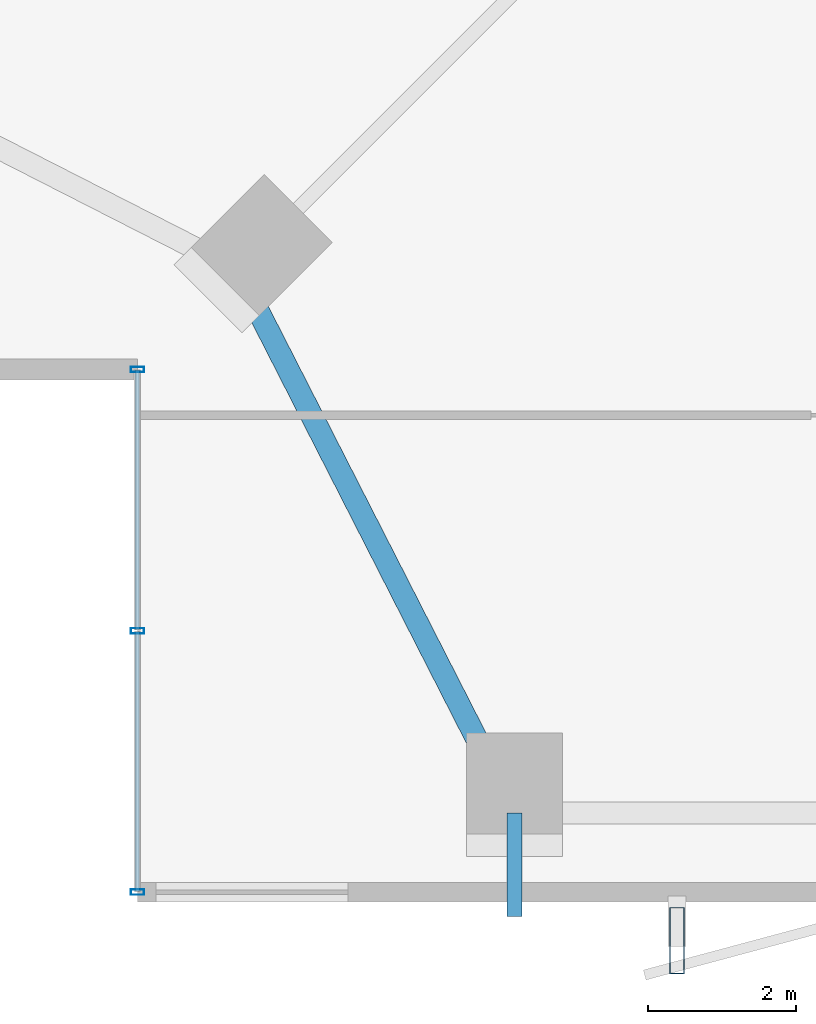
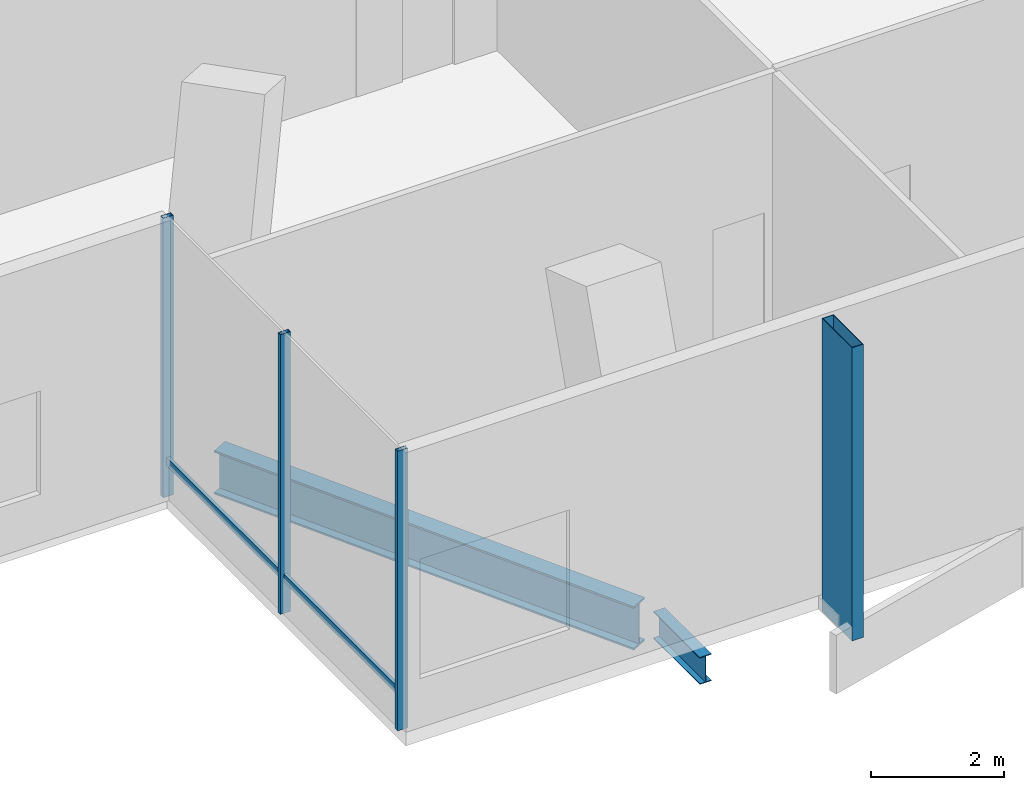
# One storey, part 2 of 28: 6 members, 2 beams, 1 element without a shape of its own.
"""IFC4 building model written with IfcOpenShell, lengths in metres."""

from ifc_helpers import new_model, si_unit, direction, frame, origin, origin_2d, place, context, subcontext, project, spatial, hollow_rectangle, i_section, extrude, material, layer, layer_set, material_profile, profile_set, type_object, element, aggregate, save


model = new_model("IFC4")

# Units and contexts
model_context = context("Model", 3, precision=1e-05, world=origin(), true_north=direction((0.0, 1.0)))
body_context = subcontext(model_context, "Body", "Model", "MODEL_VIEW")
ifc_project = project(units=[si_unit("LENGTHUNIT", "METRE"), si_unit("AREAUNIT", "SQUARE_METRE"), si_unit("VOLUMEUNIT", "CUBIC_METRE"), si_unit("PLANEANGLEUNIT", "RADIAN"), si_unit("MASSUNIT", "GRAM", prefix="KILO")], contexts=[model_context])

# Site, building, storey
site_placement = place(None, origin())
site = spatial("IfcSite", under=ifc_project, at=site_placement, CompositionType="ELEMENT")
building_placement = place(site_placement, origin())
building = spatial("IfcBuilding", under=site, at=building_placement, Name="Belovzor Exchange Tower", CompositionType="ELEMENT")
storey_placement = place(building_placement, frame((0.0, 0.0, 132.89990234375)))
storey = spatial("IfcBuildingStorey", under=building, at=storey_placement, Name="L32", CompositionType="ELEMENT", Elevation=132.89990234375)

# Beams
ifc_material_1 = material(Name="Steel S355", Category="steel")
ifc_material_profile_1 = material_profile(ifc_material_1, i_section(OverallWidth=0.199951171875, OverallDepth=0.5, WebThickness=0.01025390625, FlangeThickness=0.01611328125, at=origin_2d()))
ifc_profile_set_1 = profile_set([ifc_material_profile_1], Name="Steel S355")
beam_type_1 = type_object("IfcBeamType", Name="Planted Balcony Cantilever Beam IPE 500", PredefinedType="BEAM", material=ifc_profile_set_1)
beam_1_placement = place(storey_placement, frame((15.0, 3.89990234375, -0.5), z_axis=(0.0, -1.0, 0.0), x_axis=(1.0, 0.0, 0.0)))
element("IfcBeam", 1, at=beam_1_placement, inside=storey, type_object=beam_type_1, Name="BC-500 Planted Balcony Cantilever Beam IPE 500", PredefinedType="BEAM", context=body_context, shape_type="SweptSolid", body=[
    extrude(i_section(OverallWidth=0.199951171875, OverallDepth=0.5, WebThickness=0.01025390625, FlangeThickness=0.01611328125, at=origin_2d()), origin(), (0.0, 0.0, 1.0), 1.39990234375),
])
ifc_material_2 = material(Name="Steel S355", Category="steel")
ifc_material_profile_2 = material_profile(ifc_material_2, i_section(OverallWidth=0.300048828125, OverallDepth=0.800048828125, WebThickness=0.017578125, FlangeThickness=0.032958984375, at=origin_2d()))
ifc_profile_set_2 = profile_set([ifc_material_profile_2], Name="Steel S355")
beam_type_2 = type_object("IfcBeamType", Name="Sky-Lobby Primary Girder HEB 800", PredefinedType="BEAM", material=ifc_profile_set_2)
beam_2_placement = place(storey_placement, frame((11.412109375, 10.931884765625, -0.64990234375), z_axis=(0.454506007464, -0.890743671984, 0.0), x_axis=(0.890743671984, 0.454506007464, 0.0)))
element("IfcBeam", 2, at=beam_2_placement, inside=storey, type_object=beam_type_2, Name="SG-1 Sky-Lobby Primary Girder HEB 800", PredefinedType="BEAM", context=body_context, shape_type="SweptSolid", body=[
    extrude(i_section(OverallWidth=0.300048828125, OverallDepth=0.800048828125, WebThickness=0.017578125, FlangeThickness=0.032958984375, at=origin_2d()), origin(), (0.0, 0.0, 1.0), 7.537353515625),
])

# Member
ifc_material_3 = material(Name="Extruded Architectural Terracotta on Steel S355 Carrier", Category="masonry")
ifc_material_profile_3 = material_profile(ifc_material_3, hollow_rectangle(XDim=0.199951171875, YDim=0.89990234375, WallThickness=0.011962890625, at=origin_2d()))
ifc_profile_set_3 = profile_set([ifc_material_profile_3], Name="Extruded Architectural Terracotta on Steel S355 Carrier")
member_type_1 = type_object("IfcMemberType", Name="Sweeping Terracotta Baguette Fin Assembly 1250", PredefinedType="USERDEFINED", material=ifc_profile_set_3)
member_1_placement = place(storey_placement, frame((17.199951171875, 2.175048828125, -0.25), z_axis=(0.0, 0.0, 1.0), x_axis=(1.0, 0.0, 0.0)))
element("IfcMember", 3, at=member_1_placement, inside=storey, type_object=member_type_1, Name="FIN-TC125 Terracotta Facade Fin L32 S1", ObjectType="FIN", PredefinedType="USERDEFINED", context=body_context, shape_type="SweptSolid", body=[
    extrude(hollow_rectangle(XDim=0.199951171875, YDim=0.89990234375, WallThickness=0.011962890625, at=origin_2d()), origin(), (0.0, 0.0, 1.0), 5.39501953125),
])

# Curtain wall, members
ifc_material_4 = material(Name="Anodised Aluminium Framing", Category="aluminium")
ifc_layer = layer(ifc_material_4, 0.195068359375)
ifc_layer_set = layer_set([ifc_layer], Name="Anodised Aluminium Framing")
curtain_wall_type = type_object("IfcCurtainWallType", Name="Notched Re-Entrant Corner Unitised Curtain Wall", PredefinedType="NOTDEFINED", material=ifc_layer_set)
curtain_wall_placement = place(storey_placement, origin())
curtain_wall = element("IfcCurtainWall", 4, at=curtain_wall_placement, inside=storey, type_object=curtain_wall_type, Name="CW5 Notched Re-Entrant Corner Unitised Curtain Wall L32", PredefinedType="NOTDEFINED")
ifc_material_5 = material(Name="Steel S355", Category="steel")
ifc_material_profile_4 = material_profile(ifc_material_5, hollow_rectangle(XDim=0.074951171875, YDim=0.179931640625, WallThickness=0.0048828125, at=origin_2d()))
ifc_profile_set_4 = profile_set([ifc_material_profile_4], Name="Steel S355")
member_type_2 = type_object("IfcMemberType", Name="Thermally Broken Curtain Wall Mullion 180x75", PredefinedType="MULLION", material=ifc_profile_set_4)
member_2_placement = place(storey_placement, frame((9.89990234375, 2.830078125, 0.0), z_axis=(0.0, 0.0, 1.0), x_axis=(0.0, 1.0, 0.0)))
member_2 = element("IfcMember", 5, at=member_2_placement, type_object=member_type_2, Name="CW-M180 Curtain Wall Mullion 1", PredefinedType="MULLION", context=body_context, shape_type="SweptSolid", body=[
    extrude(hollow_rectangle(XDim=0.074951171875, YDim=0.179931640625, WallThickness=0.0048828125, at=origin_2d()), origin(), (0.0, 0.0, 1.0), 5.14501953125),
])
member_3_placement = place(storey_placement, frame((9.89990234375, 6.364990234375, 0.0), z_axis=(0.0, 0.0, 1.0), x_axis=(0.0, 1.0, 0.0)))
member_3 = element("IfcMember", 6, at=member_3_placement, type_object=member_type_2, Name="CW-M180 Curtain Wall Mullion 2", PredefinedType="MULLION", context=body_context, shape_type="SweptSolid", body=[
    extrude(hollow_rectangle(XDim=0.074951171875, YDim=0.179931640625, WallThickness=0.0048828125, at=origin_2d()), origin(), (0.0, 0.0, 1.0), 5.14501953125),
])
member_4_placement = place(storey_placement, frame((9.89990234375, 9.89990234375, 0.0), z_axis=(0.0, 0.0, 1.0), x_axis=(0.0, 1.0, 0.0)))
member_4 = element("IfcMember", 7, at=member_4_placement, type_object=member_type_2, Name="CW-M180 Curtain Wall Mullion 3", PredefinedType="MULLION", context=body_context, shape_type="SweptSolid", body=[
    extrude(hollow_rectangle(XDim=0.074951171875, YDim=0.179931640625, WallThickness=0.0048828125, at=origin_2d()), origin(), (0.0, 0.0, 1.0), 5.14501953125),
])
ifc_material_6 = material(Name="Steel S355", Category="steel")
ifc_material_profile_5 = material_profile(ifc_material_6, hollow_rectangle(XDim=0.06005859375, YDim=0.14990234375, WallThickness=0.00390625, at=origin_2d()))
ifc_profile_set_5 = profile_set([ifc_material_profile_5], Name="Steel S355")
member_type_3 = type_object("IfcMemberType", Name="Thermally Broken Curtain Wall Transom 150x60", PredefinedType="USERDEFINED", material=ifc_profile_set_5)
member_5_placement = place(storey_placement, frame((9.89990234375, 2.837890625, 0.650146484375), z_axis=(0.0, 1.0, 0.0), x_axis=(-1.0, 0.0, 0.0)))
member_5 = element("IfcMember", 8, at=member_5_placement, type_object=member_type_3, Name="CW-T150 Curtain Wall Transom 1", ObjectType="TRANSOM", PredefinedType="USERDEFINED", context=body_context, shape_type="SweptSolid", body=[
    extrude(hollow_rectangle(XDim=0.06005859375, YDim=0.14990234375, WallThickness=0.00390625, at=origin_2d()), origin(), (0.0, 0.0, 1.0), 3.51904296875),
])
member_6_placement = place(storey_placement, frame((9.89990234375, 6.373046875, 0.650146484375), z_axis=(0.0, 1.0, 0.0), x_axis=(-1.0, 0.0, 0.0)))
member_6 = element("IfcMember", 9, at=member_6_placement, type_object=member_type_3, Name="CW-T150 Curtain Wall Transom 2", ObjectType="TRANSOM", PredefinedType="USERDEFINED", context=body_context, shape_type="SweptSolid", body=[
    extrude(hollow_rectangle(XDim=0.06005859375, YDim=0.14990234375, WallThickness=0.00390625, at=origin_2d()), origin(), (0.0, 0.0, 1.0), 3.51904296875),
])
aggregate(curtain_wall, [member_2, member_3, member_4, member_5, member_6])

save(model, "model.ifc")
